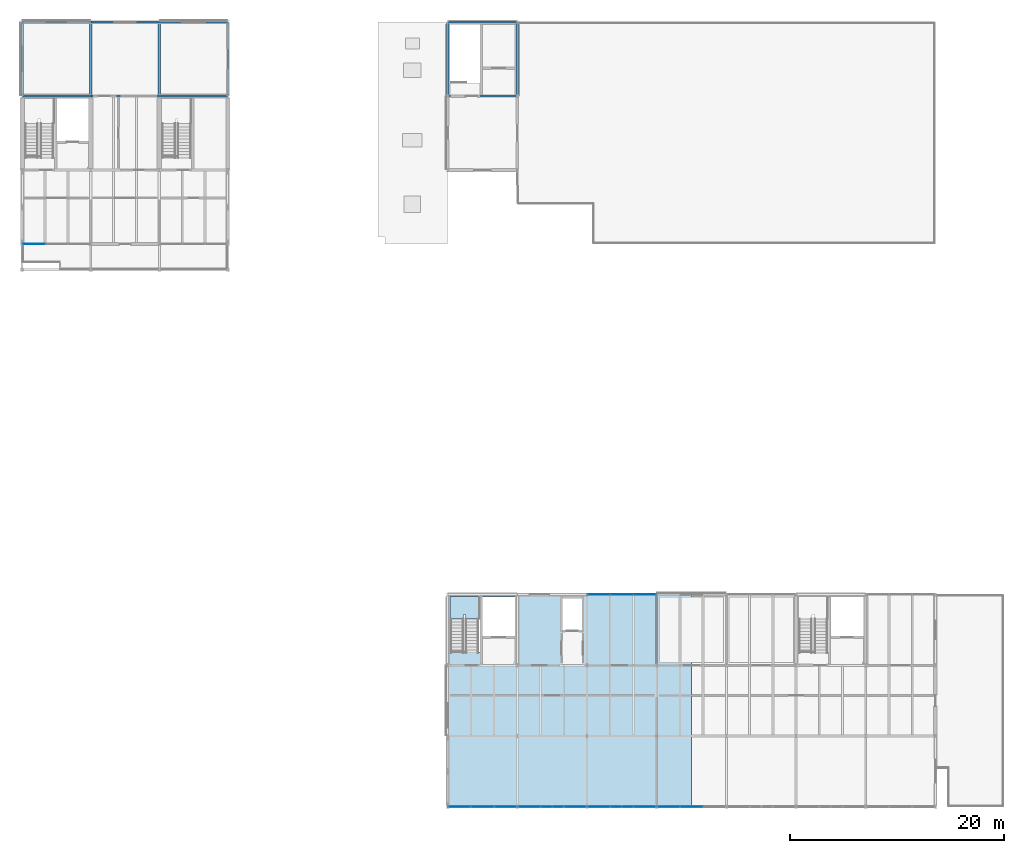
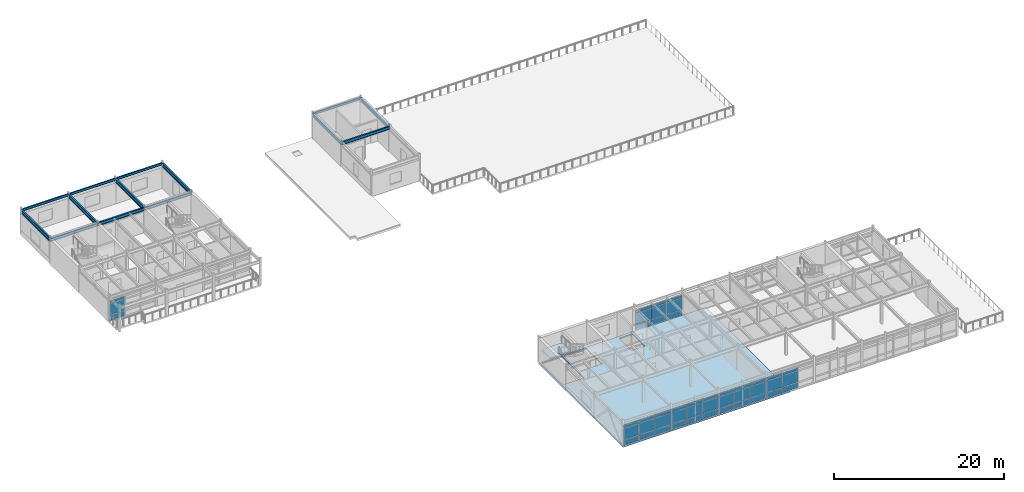
# One storey, part 13 of 26: 45 plates, 14 beams, 2 slabs, 7 elements without a shape of their own.
"""IFC4 building model written with IfcOpenShell, lengths in metres."""

from ifc_helpers import new_model, si_unit, direction, frame, origin, origin_2d, place, context, subcontext, project, spatial, polyline, rectangle, i_section, outline, extrude, material, layer, layer_set, material_profile, profile_set, type_object, element, aggregate, save


model = new_model("IFC4")

# Units and contexts
model_context = context("Model", 3, precision=1e-05, world=origin(), true_north=direction((0.0, 1.0)))
body_context = subcontext(model_context, "Body", "Model", "MODEL_VIEW")
ifc_project = project(units=[si_unit("LENGTHUNIT", "METRE"), si_unit("AREAUNIT", "SQUARE_METRE"), si_unit("VOLUMEUNIT", "CUBIC_METRE"), si_unit("PLANEANGLEUNIT", "RADIAN"), si_unit("MASSUNIT", "GRAM", prefix="KILO")], contexts=[model_context])

# Site, building, storey
site_placement = place(None, origin())
site = spatial("IfcSite", under=ifc_project, at=site_placement, CompositionType="ELEMENT")
building_placement = place(site_placement, origin())
building = spatial("IfcBuilding", under=site, at=building_placement, Name="Trelmorton Wharf Fire Station", CompositionType="ELEMENT")
storey_placement = place(building_placement, frame((0.0, 0.0, 17.39990234375)))
storey = spatial("IfcBuildingStorey", under=building, at=storey_placement, Name="L04", CompositionType="ELEMENT", Elevation=17.39990234375)

# Beams
ifc_material_1 = material(Name="Steel Grade 350", Category="steel")
ifc_material_profile_1 = material_profile(ifc_material_1, i_section(OverallWidth=0.18994140625, OverallDepth=0.45703125, WebThickness=0.009033203125, FlangeThickness=0.014404296875, FilletRadius=0.011474609375, at=origin_2d()), Name="460UB74.6")
ifc_profile_set_1 = profile_set([ifc_material_profile_1], Name="Steel Grade 350")
beam_type_1 = type_object("IfcBeamType", Name="BM_460UB75", PredefinedType="BEAM", material=ifc_profile_set_1)
beam_1_placement = place(storey_placement, frame((70.803955078125, 74.10009765625, 3.401611328125), z_axis=(1.0, 0.0, 0.0), x_axis=(0.0, 1.0, 0.0)))
element("IfcBeam", 1, at=beam_1_placement, inside=storey, type_object=beam_type_1, Name="BM-L04-1072", PredefinedType="BEAM", context=body_context, shape_type="SweptSolid", body=[
    extrude(i_section(OverallWidth=0.18994140625, OverallDepth=0.45703125, WebThickness=0.009033203125, FlangeThickness=0.014404296875, FilletRadius=0.011474609375, at=origin_2d()), origin(), (0.0, 0.0, 1.0), 6.39208984375),
])
beam_2_placement = place(storey_placement, frame((77.2041015625, 74.10009765625, 3.401611328125), z_axis=(1.0, 0.0, 0.0), x_axis=(0.0, 1.0, 0.0)))
element("IfcBeam", 2, at=beam_2_placement, inside=storey, type_object=beam_type_1, Name="BM-L04-1073", PredefinedType="BEAM", context=body_context, shape_type="SweptSolid", body=[
    extrude(i_section(OverallWidth=0.18994140625, OverallDepth=0.45703125, WebThickness=0.009033203125, FlangeThickness=0.014404296875, FilletRadius=0.011474609375, at=origin_2d()), origin(), (0.0, 0.0, 1.0), 6.391845703125),
])
beam_3_placement = place(storey_placement, frame((83.60400390625, 74.10009765625, 3.401611328125), z_axis=(1.0, 0.0, 0.0), x_axis=(0.0, 1.0, 0.0)))
element("IfcBeam", 3, at=beam_3_placement, inside=storey, type_object=beam_type_1, Name="BM-L04-1074", PredefinedType="BEAM", context=body_context, shape_type="SweptSolid", body=[
    extrude(i_section(OverallWidth=0.18994140625, OverallDepth=0.45703125, WebThickness=0.009033203125, FlangeThickness=0.014404296875, FilletRadius=0.011474609375, at=origin_2d()), origin(), (0.0, 0.0, 1.0), 6.39208984375),
])
beam_4_placement = place(storey_placement, frame((110.50390625, 74.10009765625, 3.401611328125), z_axis=(1.0, 0.0, 0.0), x_axis=(0.0, 1.0, 0.0)))
element("IfcBeam", 4, at=beam_4_placement, inside=storey, type_object=beam_type_1, Name="BM-L04-1075", PredefinedType="BEAM", context=body_context, shape_type="SweptSolid", body=[
    extrude(i_section(OverallWidth=0.18994140625, OverallDepth=0.45703125, WebThickness=0.009033203125, FlangeThickness=0.014404296875, FilletRadius=0.011474609375, at=origin_2d()), origin(), (0.0, 0.0, 1.0), 6.4921875),
])
ifc_material_profile_2 = material_profile(ifc_material_1, i_section(OverallWidth=0.208984375, OverallDepth=0.532958984375, WebThickness=0.01025390625, FlangeThickness=0.015625, FilletRadius=0.013916015625, at=origin_2d()), Name="530UB92.4")
ifc_profile_set_2 = profile_set([ifc_material_profile_2], Name="Steel Grade 350")
beam_type_2 = type_object("IfcBeamType", Name="BM_530UB92", PredefinedType="BEAM", material=ifc_profile_set_2)
for number, where, z_axis, x_axis, name in (
    (5, (70.800048828125, 74.22607421875, 3.363525390625), (0.0, 1.0, 0.0), (-1.0, 0.0, 0.0), "BM-L04-1083"),
    (6, (77.199951171875, 74.22607421875, 3.363525390625), (0.0, 1.0, 0.0), (-1.0, 0.0, 0.0), "BM-L04-1087"),
    (7, (83.60009765625, 74.22607421875, 3.363525390625), (0.0, 1.0, 0.0), (-1.0, 0.0, 0.0), "BM-L04-1091"),
    (8, (90.0, 74.22607421875, 3.363525390625), (0.0, 1.0, 0.0), (-1.0, 0.0, 0.0), "BM-L04-1095"),
):
    element("IfcBeam", number, at=place(storey_placement, frame(where, z_axis=z_axis, x_axis=x_axis)), inside=storey, type_object=beam_type_2, Name=name, PredefinedType="BEAM", context=body_context, shape_type="SweptSolid", body=[
        extrude(i_section(OverallWidth=0.208984375, OverallDepth=0.532958984375, WebThickness=0.01025390625, FlangeThickness=0.015625, FilletRadius=0.013916015625, at=origin_2d()), origin(), (0.0, 0.0, 1.0), 6.64794921875),
    ])
for number, where, z_axis, x_axis, name in (
    (9, (110.5, 74.200927734375, 3.363525390625), (0.0, 1.0, 0.0), (-1.0, 0.0, 0.0), "BM-L04-1100"),
    (10, (117.0, 74.200927734375, 3.363525390625), (0.0, 1.0, 0.0), (-1.0, 0.0, 0.0), "BM-L04-1105"),
):
    element("IfcBeam", number, at=place(storey_placement, frame(where, z_axis=z_axis, x_axis=x_axis)), inside=storey, type_object=beam_type_2, Name=name, PredefinedType="BEAM", context=body_context, shape_type="SweptSolid", body=[
        extrude(i_section(OverallWidth=0.208984375, OverallDepth=0.532958984375, WebThickness=0.01025390625, FlangeThickness=0.015625, FilletRadius=0.013916015625, at=origin_2d()), origin(), (0.0, 0.0, 1.0), 6.697998046875),
    ])
ifc_material_profile_3 = material_profile(ifc_material_1, i_section(OverallWidth=0.1708984375, OverallDepth=0.35595703125, WebThickness=0.00732421875, FlangeThickness=0.011474609375, FilletRadius=0.011474609375, at=origin_2d()), Name="360UB50.7")
ifc_profile_set_3 = profile_set([ifc_material_profile_3], Name="Steel Grade 350")
beam_type_3 = type_object("IfcBeamType", Name="SP_360UB51", PredefinedType="SPANDREL", material=ifc_profile_set_3)
beam_5_placement = place(storey_placement, frame((70.803955078125, 81.0, 3.4521484375), z_axis=(1.0, 0.0, 0.0), x_axis=(0.0, 1.0, 0.0)))
element("IfcBeam", 11, at=beam_5_placement, inside=storey, type_object=beam_type_3, Name="BM-L04-1076", PredefinedType="SPANDREL", context=body_context, shape_type="SweptSolid", body=[
    extrude(i_section(OverallWidth=0.1708984375, OverallDepth=0.35595703125, WebThickness=0.00732421875, FlangeThickness=0.011474609375, FilletRadius=0.011474609375, at=origin_2d()), origin(), (0.0, 0.0, 1.0), 6.39208984375),
])
beam_6_placement = place(storey_placement, frame((77.2041015625, 81.0, 3.4521484375), z_axis=(1.0, 0.0, 0.0), x_axis=(0.0, 1.0, 0.0)))
element("IfcBeam", 12, at=beam_6_placement, inside=storey, type_object=beam_type_3, Name="BM-L04-1077", PredefinedType="SPANDREL", context=body_context, shape_type="SweptSolid", body=[
    extrude(i_section(OverallWidth=0.1708984375, OverallDepth=0.35595703125, WebThickness=0.00732421875, FlangeThickness=0.011474609375, FilletRadius=0.011474609375, at=origin_2d()), origin(), (0.0, 0.0, 1.0), 6.391845703125),
])
beam_7_placement = place(storey_placement, frame((83.60400390625, 81.0, 3.4521484375), z_axis=(1.0, 0.0, 0.0), x_axis=(0.0, 1.0, 0.0)))
element("IfcBeam", 13, at=beam_7_placement, inside=storey, type_object=beam_type_3, Name="BM-L04-1078", PredefinedType="SPANDREL", context=body_context, shape_type="SweptSolid", body=[
    extrude(i_section(OverallWidth=0.1708984375, OverallDepth=0.35595703125, WebThickness=0.00732421875, FlangeThickness=0.011474609375, FilletRadius=0.011474609375, at=origin_2d()), origin(), (0.0, 0.0, 1.0), 6.39208984375),
])
beam_8_placement = place(storey_placement, frame((110.50390625, 81.0, 3.4521484375), z_axis=(1.0, 0.0, 0.0), x_axis=(0.0, 1.0, 0.0)))
element("IfcBeam", 14, at=beam_8_placement, inside=storey, type_object=beam_type_3, Name="BM-L04-1079", PredefinedType="SPANDREL", context=body_context, shape_type="SweptSolid", body=[
    extrude(i_section(OverallWidth=0.1708984375, OverallDepth=0.35595703125, WebThickness=0.00732421875, FlangeThickness=0.011474609375, FilletRadius=0.011474609375, at=origin_2d()), origin(), (0.0, 0.0, 1.0), 6.4921875),
])

# Curtain wall, plates
ifc_material_2 = material(Name="Anodised aluminium AW-6063", Category="aluminium")
ifc_layer_1 = layer(ifc_material_2, 0.175048828125)
ifc_layer_set_1 = layer_set([ifc_layer_1], Name="Anodised aluminium AW-6063")
curtain_wall_type_1 = type_object("IfcCurtainWallType", Name="CW_CHIC_B", PredefinedType="USERDEFINED", material=ifc_layer_set_1)
curtain_wall_1_placement = place(storey_placement, origin())
curtain_wall_1 = element("IfcCurtainWall", 15, at=curtain_wall_1_placement, inside=storey, type_object=curtain_wall_type_1, Name="CW-V5-L04-073", ObjectType="CHICAGO BAY CURTAIN WALL", PredefinedType="USERDEFINED")
ifc_material_3 = material(Name="Tempered low-E double glazing", Category="glass")
ifc_layer_2 = layer(ifc_material_3, 0.028076171875)
ifc_layer_set_2 = layer_set([ifc_layer_2], Name="Tempered low-E double glazing")
plate_type_1 = type_object("IfcPlateType", Name="CWP_GLAZ_28", PredefinedType="CURTAIN_PANEL", material=ifc_layer_set_2)
plate_1_placement = place(storey_placement, frame((122.3984375, 7.800048828125, 0.06005859375), z_axis=(0.0, 0.0, 1.0), x_axis=(-1.0, 0.0, 0.0)))
plate_1 = element("IfcPlate", 16, at=plate_1_placement, type_object=plate_type_1, Name="CW2 panel 1.1", PredefinedType="CURTAIN_PANEL", context=body_context, shape_type="SweptSolid", body=[
    extrude(rectangle(XDim=2.0732421875, YDim=0.028076171875, at=origin_2d()), origin(), (0.0, 0.0, 1.0), 0.760009765625),
])
plate_2_placement = place(storey_placement, frame((122.3984375, 7.800048828125, 0.8798828125), z_axis=(0.0, 0.0, 1.0), x_axis=(-1.0, 0.0, 0.0)))
plate_2 = element("IfcPlate", 17, at=plate_2_placement, type_object=plate_type_1, Name="CW2 panel 1.2", PredefinedType="CURTAIN_PANEL", context=body_context, shape_type="SweptSolid", body=[
    extrude(rectangle(XDim=2.0732421875, YDim=0.028076171875, at=origin_2d()), origin(), (0.0, 0.0, 1.0), 1.610107421875),
])
plate_3_placement = place(storey_placement, frame((122.3984375, 7.800048828125, 2.55029296875), z_axis=(0.0, 0.0, 1.0), x_axis=(-1.0, 0.0, 0.0)))
plate_3 = element("IfcPlate", 18, at=plate_3_placement, type_object=plate_type_1, Name="CW2 panel 1.3", PredefinedType="CURTAIN_PANEL", context=body_context, shape_type="SweptSolid", body=[
    extrude(rectangle(XDim=2.0732421875, YDim=0.028076171875, at=origin_2d()), origin(), (0.0, 0.0, 1.0), 0.409912109375),
])
plate_4_placement = place(storey_placement, frame((120.25, 7.800048828125, 0.06005859375), z_axis=(0.0, 0.0, 1.0), x_axis=(-1.0, 0.0, 0.0)))
plate_4 = element("IfcPlate", 19, at=plate_4_placement, type_object=plate_type_1, Name="CW2 panel 2.1", PredefinedType="CURTAIN_PANEL", context=body_context, shape_type="SweptSolid", body=[
    extrude(rectangle(XDim=2.103271484375, YDim=0.028076171875, at=origin_2d()), origin(), (0.0, 0.0, 1.0), 0.760009765625),
])
plate_5_placement = place(storey_placement, frame((120.25, 7.800048828125, 0.8798828125), z_axis=(0.0, 0.0, 1.0), x_axis=(-1.0, 0.0, 0.0)))
plate_5 = element("IfcPlate", 20, at=plate_5_placement, type_object=plate_type_1, Name="CW2 panel 2.2", PredefinedType="CURTAIN_PANEL", context=body_context, shape_type="SweptSolid", body=[
    extrude(rectangle(XDim=2.103271484375, YDim=0.028076171875, at=origin_2d()), origin(), (0.0, 0.0, 1.0), 1.610107421875),
])
plate_6_placement = place(storey_placement, frame((120.25, 7.800048828125, 2.55029296875), z_axis=(0.0, 0.0, 1.0), x_axis=(-1.0, 0.0, 0.0)))
plate_6 = element("IfcPlate", 21, at=plate_6_placement, type_object=plate_type_1, Name="CW2 panel 2.3", PredefinedType="CURTAIN_PANEL", context=body_context, shape_type="SweptSolid", body=[
    extrude(rectangle(XDim=2.103271484375, YDim=0.028076171875, at=origin_2d()), origin(), (0.0, 0.0, 1.0), 0.409912109375),
])
plate_7_placement = place(storey_placement, frame((118.1015625, 7.800048828125, 0.06005859375), z_axis=(0.0, 0.0, 1.0), x_axis=(-1.0, 0.0, 0.0)))
plate_7 = element("IfcPlate", 22, at=plate_7_placement, type_object=plate_type_1, Name="CW2 panel 3.1", PredefinedType="CURTAIN_PANEL", context=body_context, shape_type="SweptSolid", body=[
    extrude(rectangle(XDim=2.0732421875, YDim=0.028076171875, at=origin_2d()), origin(), (0.0, 0.0, 1.0), 0.760009765625),
])
plate_8_placement = place(storey_placement, frame((118.1015625, 7.800048828125, 0.8798828125), z_axis=(0.0, 0.0, 1.0), x_axis=(-1.0, 0.0, 0.0)))
plate_8 = element("IfcPlate", 23, at=plate_8_placement, type_object=plate_type_1, Name="CW2 panel 3.2", PredefinedType="CURTAIN_PANEL", context=body_context, shape_type="SweptSolid", body=[
    extrude(rectangle(XDim=2.0732421875, YDim=0.028076171875, at=origin_2d()), origin(), (0.0, 0.0, 1.0), 1.610107421875),
])
plate_9_placement = place(storey_placement, frame((118.1015625, 7.800048828125, 2.55029296875), z_axis=(0.0, 0.0, 1.0), x_axis=(-1.0, 0.0, 0.0)))
plate_9 = element("IfcPlate", 24, at=plate_9_placement, type_object=plate_type_1, Name="CW2 panel 3.3", PredefinedType="CURTAIN_PANEL", context=body_context, shape_type="SweptSolid", body=[
    extrude(rectangle(XDim=2.0732421875, YDim=0.028076171875, at=origin_2d()), origin(), (0.0, 0.0, 1.0), 0.409912109375),
])
aggregate(curtain_wall_1, [plate_1, plate_2, plate_3, plate_4, plate_5, plate_6, plate_7, plate_8, plate_9])

ifc_layer_3 = layer(ifc_material_2, 0.159912109375)
ifc_layer_set_3 = layer_set([ifc_layer_3], Name="Anodised aluminium AW-6063")
curtain_wall_type_2 = type_object("IfcCurtainWallType", Name="CW_CHIC_A", PredefinedType="USERDEFINED", material=ifc_layer_set_3)
curtain_wall_2_placement = place(storey_placement, origin())
curtain_wall_2 = element("IfcCurtainWall", 25, at=curtain_wall_2_placement, inside=storey, type_object=curtain_wall_type_2, Name="CW-V5-L04-074", ObjectType="CHICAGO BAY CURTAIN WALL", PredefinedType="USERDEFINED")
plate_10_placement = place(storey_placement, frame((128.8984375, 7.800048828125, 0.06005859375), z_axis=(0.0, 0.0, 1.0), x_axis=(-1.0, 0.0, 0.0)))
plate_10 = element("IfcPlate", 26, at=plate_10_placement, type_object=plate_type_1, Name="CW1 panel 1.1", PredefinedType="CURTAIN_PANEL", context=body_context, shape_type="SweptSolid", body=[
    extrude(rectangle(XDim=2.0732421875, YDim=0.028076171875, at=origin_2d()), origin(), (0.0, 0.0, 1.0), 0.760009765625),
])
plate_11_placement = place(storey_placement, frame((128.8984375, 7.800048828125, 0.8798828125), z_axis=(0.0, 0.0, 1.0), x_axis=(-1.0, 0.0, 0.0)))
plate_11 = element("IfcPlate", 27, at=plate_11_placement, type_object=plate_type_1, Name="CW1 panel 1.2", PredefinedType="CURTAIN_PANEL", context=body_context, shape_type="SweptSolid", body=[
    extrude(rectangle(XDim=2.0732421875, YDim=0.028076171875, at=origin_2d()), origin(), (0.0, 0.0, 1.0), 1.610107421875),
])
plate_12_placement = place(storey_placement, frame((128.8984375, 7.800048828125, 2.55029296875), z_axis=(0.0, 0.0, 1.0), x_axis=(-1.0, 0.0, 0.0)))
plate_12 = element("IfcPlate", 28, at=plate_12_placement, type_object=plate_type_1, Name="CW1 panel 1.3", PredefinedType="CURTAIN_PANEL", context=body_context, shape_type="SweptSolid", body=[
    extrude(rectangle(XDim=2.0732421875, YDim=0.028076171875, at=origin_2d()), origin(), (0.0, 0.0, 1.0), 0.409912109375),
])
plate_13_placement = place(storey_placement, frame((126.75, 7.800048828125, 0.06005859375), z_axis=(0.0, 0.0, 1.0), x_axis=(-1.0, 0.0, 0.0)))
plate_13 = element("IfcPlate", 29, at=plate_13_placement, type_object=plate_type_1, Name="CW1 panel 2.1", PredefinedType="CURTAIN_PANEL", context=body_context, shape_type="SweptSolid", body=[
    extrude(rectangle(XDim=2.103271484375, YDim=0.028076171875, at=origin_2d()), origin(), (0.0, 0.0, 1.0), 0.760009765625),
])
plate_14_placement = place(storey_placement, frame((126.75, 7.800048828125, 0.8798828125), z_axis=(0.0, 0.0, 1.0), x_axis=(-1.0, 0.0, 0.0)))
plate_14 = element("IfcPlate", 30, at=plate_14_placement, type_object=plate_type_1, Name="CW1 panel 2.2", PredefinedType="CURTAIN_PANEL", context=body_context, shape_type="SweptSolid", body=[
    extrude(rectangle(XDim=2.103271484375, YDim=0.028076171875, at=origin_2d()), origin(), (0.0, 0.0, 1.0), 1.610107421875),
])
plate_15_placement = place(storey_placement, frame((126.75, 7.800048828125, 2.55029296875), z_axis=(0.0, 0.0, 1.0), x_axis=(-1.0, 0.0, 0.0)))
plate_15 = element("IfcPlate", 31, at=plate_15_placement, type_object=plate_type_1, Name="CW1 panel 2.3", PredefinedType="CURTAIN_PANEL", context=body_context, shape_type="SweptSolid", body=[
    extrude(rectangle(XDim=2.103271484375, YDim=0.028076171875, at=origin_2d()), origin(), (0.0, 0.0, 1.0), 0.409912109375),
])
plate_16_placement = place(storey_placement, frame((124.6015625, 7.800048828125, 0.06005859375), z_axis=(0.0, 0.0, 1.0), x_axis=(-1.0, 0.0, 0.0)))
plate_16 = element("IfcPlate", 32, at=plate_16_placement, type_object=plate_type_1, Name="CW1 panel 3.1", PredefinedType="CURTAIN_PANEL", context=body_context, shape_type="SweptSolid", body=[
    extrude(rectangle(XDim=2.0732421875, YDim=0.028076171875, at=origin_2d()), origin(), (0.0, 0.0, 1.0), 0.760009765625),
])
plate_17_placement = place(storey_placement, frame((124.6015625, 7.800048828125, 0.8798828125), z_axis=(0.0, 0.0, 1.0), x_axis=(-1.0, 0.0, 0.0)))
plate_17 = element("IfcPlate", 33, at=plate_17_placement, type_object=plate_type_1, Name="CW1 panel 3.2", PredefinedType="CURTAIN_PANEL", context=body_context, shape_type="SweptSolid", body=[
    extrude(rectangle(XDim=2.0732421875, YDim=0.028076171875, at=origin_2d()), origin(), (0.0, 0.0, 1.0), 1.610107421875),
])
plate_18_placement = place(storey_placement, frame((124.6015625, 7.800048828125, 2.55029296875), z_axis=(0.0, 0.0, 1.0), x_axis=(-1.0, 0.0, 0.0)))
plate_18 = element("IfcPlate", 34, at=plate_18_placement, type_object=plate_type_1, Name="CW1 panel 3.3", PredefinedType="CURTAIN_PANEL", context=body_context, shape_type="SweptSolid", body=[
    extrude(rectangle(XDim=2.0732421875, YDim=0.028076171875, at=origin_2d()), origin(), (0.0, 0.0, 1.0), 0.409912109375),
])
aggregate(curtain_wall_2, [plate_10, plate_11, plate_12, plate_13, plate_14, plate_15, plate_16, plate_17, plate_18])

ifc_layer_4 = layer(ifc_material_2, 0.14990234375)
ifc_layer_set_4 = layer_set([ifc_layer_4], Name="Anodised aluminium AW-6063")
curtain_wall_type_3 = type_object("IfcCurtainWallType", Name="CW_UNIT_A", PredefinedType="USERDEFINED", material=ifc_layer_set_4)
curtain_wall_3_placement = place(storey_placement, origin())
curtain_wall_3 = element("IfcCurtainWall", 35, at=curtain_wall_3_placement, inside=storey, type_object=curtain_wall_type_3, Name="CW-V5-L04-079", ObjectType="UNITISED CURTAIN WALL", PredefinedType="USERDEFINED")
plate_19_placement = place(storey_placement, frame((124.6015625, 27.60009765625, 0.06005859375), z_axis=(0.0, 0.0, 1.0), x_axis=(1.0, 0.0, 0.0)))
plate_19 = element("IfcPlate", 36, at=plate_19_placement, type_object=plate_type_1, Name="CW3 panel 1.1", PredefinedType="CURTAIN_PANEL", context=body_context, shape_type="SweptSolid", body=[
    extrude(rectangle(XDim=2.0732421875, YDim=0.028076171875, at=origin_2d()), origin(), (0.0, 0.0, 1.0), 0.760009765625),
])
plate_20_placement = place(storey_placement, frame((124.6015625, 27.60009765625, 0.8798828125), z_axis=(0.0, 0.0, 1.0), x_axis=(1.0, 0.0, 0.0)))
plate_20 = element("IfcPlate", 37, at=plate_20_placement, type_object=plate_type_1, Name="CW3 panel 1.2", PredefinedType="CURTAIN_PANEL", context=body_context, shape_type="SweptSolid", body=[
    extrude(rectangle(XDim=2.0732421875, YDim=0.028076171875, at=origin_2d()), origin(), (0.0, 0.0, 1.0), 1.610107421875),
])
plate_21_placement = place(storey_placement, frame((124.6015625, 27.60009765625, 2.55029296875), z_axis=(0.0, 0.0, 1.0), x_axis=(1.0, 0.0, 0.0)))
plate_21 = element("IfcPlate", 38, at=plate_21_placement, type_object=plate_type_1, Name="CW3 panel 1.3", PredefinedType="CURTAIN_PANEL", context=body_context, shape_type="SweptSolid", body=[
    extrude(rectangle(XDim=2.0732421875, YDim=0.028076171875, at=origin_2d()), origin(), (0.0, 0.0, 1.0), 0.409912109375),
])
plate_22_placement = place(storey_placement, frame((126.75, 27.60009765625, 0.06005859375), z_axis=(0.0, 0.0, 1.0), x_axis=(1.0, 0.0, 0.0)))
plate_22 = element("IfcPlate", 39, at=plate_22_placement, type_object=plate_type_1, Name="CW3 panel 2.1", PredefinedType="CURTAIN_PANEL", context=body_context, shape_type="SweptSolid", body=[
    extrude(rectangle(XDim=2.103271484375, YDim=0.028076171875, at=origin_2d()), origin(), (0.0, 0.0, 1.0), 0.760009765625),
])
plate_23_placement = place(storey_placement, frame((126.75, 27.60009765625, 0.8798828125), z_axis=(0.0, 0.0, 1.0), x_axis=(1.0, 0.0, 0.0)))
plate_23 = element("IfcPlate", 40, at=plate_23_placement, type_object=plate_type_1, Name="CW3 panel 2.2", PredefinedType="CURTAIN_PANEL", context=body_context, shape_type="SweptSolid", body=[
    extrude(rectangle(XDim=2.103271484375, YDim=0.028076171875, at=origin_2d()), origin(), (0.0, 0.0, 1.0), 1.610107421875),
])
plate_24_placement = place(storey_placement, frame((126.75, 27.60009765625, 2.55029296875), z_axis=(0.0, 0.0, 1.0), x_axis=(1.0, 0.0, 0.0)))
plate_24 = element("IfcPlate", 41, at=plate_24_placement, type_object=plate_type_1, Name="CW3 panel 2.3", PredefinedType="CURTAIN_PANEL", context=body_context, shape_type="SweptSolid", body=[
    extrude(rectangle(XDim=2.103271484375, YDim=0.028076171875, at=origin_2d()), origin(), (0.0, 0.0, 1.0), 0.409912109375),
])
plate_25_placement = place(storey_placement, frame((128.8984375, 27.60009765625, 0.06005859375), z_axis=(0.0, 0.0, 1.0), x_axis=(1.0, 0.0, 0.0)))
plate_25 = element("IfcPlate", 42, at=plate_25_placement, type_object=plate_type_1, Name="CW3 panel 3.1", PredefinedType="CURTAIN_PANEL", context=body_context, shape_type="SweptSolid", body=[
    extrude(rectangle(XDim=2.0732421875, YDim=0.028076171875, at=origin_2d()), origin(), (0.0, 0.0, 1.0), 0.760009765625),
])
plate_26_placement = place(storey_placement, frame((128.8984375, 27.60009765625, 0.8798828125), z_axis=(0.0, 0.0, 1.0), x_axis=(1.0, 0.0, 0.0)))
plate_26 = element("IfcPlate", 43, at=plate_26_placement, type_object=plate_type_1, Name="CW3 panel 3.2", PredefinedType="CURTAIN_PANEL", context=body_context, shape_type="SweptSolid", body=[
    extrude(rectangle(XDim=2.0732421875, YDim=0.028076171875, at=origin_2d()), origin(), (0.0, 0.0, 1.0), 1.610107421875),
])
plate_27_placement = place(storey_placement, frame((128.8984375, 27.60009765625, 2.55029296875), z_axis=(0.0, 0.0, 1.0), x_axis=(1.0, 0.0, 0.0)))
plate_27 = element("IfcPlate", 44, at=plate_27_placement, type_object=plate_type_1, Name="CW3 panel 3.3", PredefinedType="CURTAIN_PANEL", context=body_context, shape_type="SweptSolid", body=[
    extrude(rectangle(XDim=2.0732421875, YDim=0.028076171875, at=origin_2d()), origin(), (0.0, 0.0, 1.0), 0.409912109375),
])
aggregate(curtain_wall_3, [plate_19, plate_20, plate_21, plate_22, plate_23, plate_24, plate_25, plate_26, plate_27])

curtain_wall_4_placement = place(storey_placement, origin())
curtain_wall_4 = element("IfcCurtainWall", 45, at=curtain_wall_4_placement, inside=storey, type_object=curtain_wall_type_1, Name="CW-V5-L04-075", ObjectType="CHICAGO BAY CURTAIN WALL", PredefinedType="USERDEFINED")
ifc_layer_5 = layer(ifc_material_3, 0.028076171875)
ifc_layer_set_5 = layer_set([ifc_layer_5], Name="Tempered low-E double glazing")
plate_type_2 = type_object("IfcPlateType", Name="CWP_GLAZ_38", PredefinedType="CURTAIN_PANEL", material=ifc_layer_set_5)
plate_28_placement = place(storey_placement, frame((133.25, 7.800048828125, 0.06005859375), z_axis=(0.0, 0.0, 1.0), x_axis=(-1.0, 0.0, 0.0)))
plate_28 = element("IfcPlate", 46, at=plate_28_placement, type_object=plate_type_2, Name="CW2 panel 2.1", PredefinedType="CURTAIN_PANEL", context=body_context, shape_type="SweptSolid", body=[
    extrude(rectangle(XDim=2.103271484375, YDim=0.028076171875, at=origin_2d()), origin(), (0.0, 0.0, 1.0), 0.760009765625),
])
plate_29_placement = place(storey_placement, frame((133.25, 7.800048828125, 0.8798828125), z_axis=(0.0, 0.0, 1.0), x_axis=(-1.0, 0.0, 0.0)))
plate_29 = element("IfcPlate", 47, at=plate_29_placement, type_object=plate_type_2, Name="CW2 panel 2.2", PredefinedType="CURTAIN_PANEL", context=body_context, shape_type="SweptSolid", body=[
    extrude(rectangle(XDim=2.103271484375, YDim=0.028076171875, at=origin_2d()), origin(), (0.0, 0.0, 1.0), 1.610107421875),
])
plate_30_placement = place(storey_placement, frame((133.25, 7.800048828125, 2.55029296875), z_axis=(0.0, 0.0, 1.0), x_axis=(-1.0, 0.0, 0.0)))
plate_30 = element("IfcPlate", 48, at=plate_30_placement, type_object=plate_type_2, Name="CW2 panel 2.3", PredefinedType="CURTAIN_PANEL", context=body_context, shape_type="SweptSolid", body=[
    extrude(rectangle(XDim=2.103271484375, YDim=0.028076171875, at=origin_2d()), origin(), (0.0, 0.0, 1.0), 0.409912109375),
])
plate_31_placement = place(storey_placement, frame((131.1015625, 7.800048828125, 0.06005859375), z_axis=(0.0, 0.0, 1.0), x_axis=(-1.0, 0.0, 0.0)))
plate_31 = element("IfcPlate", 49, at=plate_31_placement, type_object=plate_type_2, Name="CW2 panel 3.1", PredefinedType="CURTAIN_PANEL", context=body_context, shape_type="SweptSolid", body=[
    extrude(rectangle(XDim=2.0732421875, YDim=0.028076171875, at=origin_2d()), origin(), (0.0, 0.0, 1.0), 0.760009765625),
])
plate_32_placement = place(storey_placement, frame((131.1015625, 7.800048828125, 0.8798828125), z_axis=(0.0, 0.0, 1.0), x_axis=(-1.0, 0.0, 0.0)))
plate_32 = element("IfcPlate", 50, at=plate_32_placement, type_object=plate_type_2, Name="CW2 panel 3.2", PredefinedType="CURTAIN_PANEL", context=body_context, shape_type="SweptSolid", body=[
    extrude(rectangle(XDim=2.0732421875, YDim=0.028076171875, at=origin_2d()), origin(), (0.0, 0.0, 1.0), 1.610107421875),
])
plate_33_placement = place(storey_placement, frame((131.1015625, 7.800048828125, 2.55029296875), z_axis=(0.0, 0.0, 1.0), x_axis=(-1.0, 0.0, 0.0)))
plate_33 = element("IfcPlate", 51, at=plate_33_placement, type_object=plate_type_2, Name="CW2 panel 3.3", PredefinedType="CURTAIN_PANEL", context=body_context, shape_type="SweptSolid", body=[
    extrude(rectangle(XDim=2.0732421875, YDim=0.028076171875, at=origin_2d()), origin(), (0.0, 0.0, 1.0), 0.409912109375),
])
aggregate(curtain_wall_4, [plate_28, plate_29, plate_30, plate_31, plate_32, plate_33])

curtain_wall_5_placement = place(storey_placement, origin())
curtain_wall_5 = element("IfcCurtainWall", 52, at=curtain_wall_5_placement, inside=storey, type_object=curtain_wall_type_2, Name="CW-V2-L04-105", ObjectType="CHICAGO BAY CURTAIN WALL", PredefinedType="USERDEFINED")
plate_34_placement = place(storey_placement, frame((71.885009765625, 60.300048828125, 0.06005859375), z_axis=(0.0, 0.0, 1.0), x_axis=(-1.0, 0.0, 0.0)))
plate_34 = element("IfcPlate", 53, at=plate_34_placement, type_object=plate_type_2, Name="CW1 panel 3.1", PredefinedType="CURTAIN_PANEL", context=body_context, shape_type="SweptSolid", body=[
    extrude(rectangle(XDim=2.0400390625, YDim=0.028076171875, at=origin_2d()), origin(), (0.0, 0.0, 1.0), 0.760009765625),
])
plate_35_placement = place(storey_placement, frame((71.885009765625, 60.300048828125, 0.8798828125), z_axis=(0.0, 0.0, 1.0), x_axis=(-1.0, 0.0, 0.0)))
plate_35 = element("IfcPlate", 54, at=plate_35_placement, type_object=plate_type_2, Name="CW1 panel 3.2", PredefinedType="CURTAIN_PANEL", context=body_context, shape_type="SweptSolid", body=[
    extrude(rectangle(XDim=2.0400390625, YDim=0.028076171875, at=origin_2d()), origin(), (0.0, 0.0, 1.0), 1.610107421875),
])
plate_36_placement = place(storey_placement, frame((71.885009765625, 60.300048828125, 2.55029296875), z_axis=(0.0, 0.0, 1.0), x_axis=(-1.0, 0.0, 0.0)))
plate_36 = element("IfcPlate", 55, at=plate_36_placement, type_object=plate_type_2, Name="CW1 panel 3.3", PredefinedType="CURTAIN_PANEL", context=body_context, shape_type="SweptSolid", body=[
    extrude(rectangle(XDim=2.0400390625, YDim=0.028076171875, at=origin_2d()), origin(), (0.0, 0.0, 1.0), 0.409912109375),
])
aggregate(curtain_wall_5, [plate_34, plate_35, plate_36])

curtain_wall_6_placement = place(storey_placement, origin())
curtain_wall_6 = element("IfcCurtainWall", 56, at=curtain_wall_6_placement, inside=storey, type_object=curtain_wall_type_2, Name="CW-V5-L04-072", ObjectType="CHICAGO BAY CURTAIN WALL", PredefinedType="USERDEFINED")
ifc_material_4 = material(Name="Ceramic-fritted spandrel glazing", Category="glass")
ifc_layer_6 = layer(ifc_material_4, 0.028076171875)
ifc_layer_set_6 = layer_set([ifc_layer_6], Name="Ceramic-fritted spandrel glazing")
plate_type_3 = type_object("IfcPlateType", Name="CWP_SPAN_48", PredefinedType="CURTAIN_PANEL", material=ifc_layer_set_6)
plate_37_placement = place(storey_placement, frame((115.8984375, 7.800048828125, 0.06005859375), z_axis=(0.0, 0.0, 1.0), x_axis=(-1.0, 0.0, 0.0)))
plate_37 = element("IfcPlate", 57, at=plate_37_placement, type_object=plate_type_3, Name="CW1 panel 1.1", PredefinedType="CURTAIN_PANEL", context=body_context, shape_type="SweptSolid", body=[
    extrude(rectangle(XDim=2.0732421875, YDim=0.028076171875, at=origin_2d()), origin(), (0.0, 0.0, 1.0), 0.760009765625),
])
plate_38_placement = place(storey_placement, frame((115.8984375, 7.800048828125, 0.8798828125), z_axis=(0.0, 0.0, 1.0), x_axis=(-1.0, 0.0, 0.0)))
plate_38 = element("IfcPlate", 58, at=plate_38_placement, type_object=plate_type_3, Name="CW1 panel 1.2", PredefinedType="CURTAIN_PANEL", context=body_context, shape_type="SweptSolid", body=[
    extrude(rectangle(XDim=2.0732421875, YDim=0.028076171875, at=origin_2d()), origin(), (0.0, 0.0, 1.0), 1.610107421875),
])
plate_39_placement = place(storey_placement, frame((115.8984375, 7.800048828125, 2.55029296875), z_axis=(0.0, 0.0, 1.0), x_axis=(-1.0, 0.0, 0.0)))
plate_39 = element("IfcPlate", 59, at=plate_39_placement, type_object=plate_type_3, Name="CW1 panel 1.3", PredefinedType="CURTAIN_PANEL", context=body_context, shape_type="SweptSolid", body=[
    extrude(rectangle(XDim=2.0732421875, YDim=0.028076171875, at=origin_2d()), origin(), (0.0, 0.0, 1.0), 0.409912109375),
])
plate_40_placement = place(storey_placement, frame((113.75, 7.800048828125, 0.06005859375), z_axis=(0.0, 0.0, 1.0), x_axis=(-1.0, 0.0, 0.0)))
plate_40 = element("IfcPlate", 60, at=plate_40_placement, type_object=plate_type_3, Name="CW1 panel 2.1", PredefinedType="CURTAIN_PANEL", context=body_context, shape_type="SweptSolid", body=[
    extrude(rectangle(XDim=2.103271484375, YDim=0.028076171875, at=origin_2d()), origin(), (0.0, 0.0, 1.0), 0.760009765625),
])
plate_41_placement = place(storey_placement, frame((113.75, 7.800048828125, 0.8798828125), z_axis=(0.0, 0.0, 1.0), x_axis=(-1.0, 0.0, 0.0)))
plate_41 = element("IfcPlate", 61, at=plate_41_placement, type_object=plate_type_3, Name="CW1 panel 2.2", PredefinedType="CURTAIN_PANEL", context=body_context, shape_type="SweptSolid", body=[
    extrude(rectangle(XDim=2.103271484375, YDim=0.028076171875, at=origin_2d()), origin(), (0.0, 0.0, 1.0), 1.610107421875),
])
plate_42_placement = place(storey_placement, frame((113.75, 7.800048828125, 2.55029296875), z_axis=(0.0, 0.0, 1.0), x_axis=(-1.0, 0.0, 0.0)))
plate_42 = element("IfcPlate", 62, at=plate_42_placement, type_object=plate_type_3, Name="CW1 panel 2.3", PredefinedType="CURTAIN_PANEL", context=body_context, shape_type="SweptSolid", body=[
    extrude(rectangle(XDim=2.103271484375, YDim=0.028076171875, at=origin_2d()), origin(), (0.0, 0.0, 1.0), 0.409912109375),
])
plate_43_placement = place(storey_placement, frame((111.6015625, 7.800048828125, 0.06005859375), z_axis=(0.0, 0.0, 1.0), x_axis=(-1.0, 0.0, 0.0)))
plate_43 = element("IfcPlate", 63, at=plate_43_placement, type_object=plate_type_3, Name="CW1 panel 3.1", PredefinedType="CURTAIN_PANEL", context=body_context, shape_type="SweptSolid", body=[
    extrude(rectangle(XDim=2.0732421875, YDim=0.028076171875, at=origin_2d()), origin(), (0.0, 0.0, 1.0), 0.760009765625),
])
plate_44_placement = place(storey_placement, frame((111.6015625, 7.800048828125, 0.8798828125), z_axis=(0.0, 0.0, 1.0), x_axis=(-1.0, 0.0, 0.0)))
plate_44 = element("IfcPlate", 64, at=plate_44_placement, type_object=plate_type_3, Name="CW1 panel 3.2", PredefinedType="CURTAIN_PANEL", context=body_context, shape_type="SweptSolid", body=[
    extrude(rectangle(XDim=2.0732421875, YDim=0.028076171875, at=origin_2d()), origin(), (0.0, 0.0, 1.0), 1.610107421875),
])
plate_45_placement = place(storey_placement, frame((111.6015625, 7.800048828125, 2.55029296875), z_axis=(0.0, 0.0, 1.0), x_axis=(-1.0, 0.0, 0.0)))
plate_45 = element("IfcPlate", 65, at=plate_45_placement, type_object=plate_type_3, Name="CW1 panel 3.3", PredefinedType="CURTAIN_PANEL", context=body_context, shape_type="SweptSolid", body=[
    extrude(rectangle(XDim=2.0732421875, YDim=0.028076171875, at=origin_2d()), origin(), (0.0, 0.0, 1.0), 0.409912109375),
])
aggregate(curtain_wall_6, [plate_37, plate_38, plate_39, plate_40, plate_41, plate_42, plate_43, plate_44, plate_45])

# Slab
ifc_material_5 = material(Name="Concrete 40 MPa", Category="concrete")
ifc_layer_7 = layer(ifc_material_5, 0.199951171875)
ifc_layer_set_7 = layer_set([ifc_layer_7], Name="Concrete 40 MPa")
slab_type_1 = type_object("IfcSlabType", Name="SL_FLOOR_200", PredefinedType="FLOOR", material=ifc_layer_set_7)
slab_1_placement = place(storey_placement, frame((0.0, 0.0, -0.199951171875)))
element("IfcSlab", 66, at=slab_1_placement, inside=storey, type_object=slab_type_1, Name="SL-V5-L04-025", PredefinedType="FLOOR", context=body_context, shape_type="SweptSolid", body=[
    extrude(outline(polyline([(110.5, 27.60009765625), (133.25, 27.60009765625), (133.25, 7.800048828125), (110.5, 7.800048828125), (110.5, 27.60009765625)]), holes=[polyline([(110.719970703125, 27.3798828125), (110.719970703125, 22.239990234375), (113.510009765625, 22.239990234375), (113.510009765625, 27.3798828125), (110.719970703125, 27.3798828125)]), polyline([(116.780029296875, 27.3798828125), (113.739990234375, 27.3798828125), (113.739990234375, 23.719970703125), (116.780029296875, 23.719970703125), (116.780029296875, 27.3798828125)]), polyline([(123.02001953125, 24.31005859375), (123.02001953125, 27.22998046875), (121.219970703125, 27.22998046875), (121.219970703125, 24.31005859375), (123.02001953125, 24.31005859375)])]), origin(), (0.0, 0.0, 1.0), 0.199951171875),
])

# Stair, slab
ifc_material_6 = material(Name="Precast concrete 45 MPa", Category="concrete")
stair_type = type_object("IfcStairType", Name="ST_DOG_390", PredefinedType="HALF_TURN_STAIR", material=ifc_material_6)
stair_placement = place(storey_placement, origin())
stair = element("IfcStair", 67, at=stair_placement, inside=storey, type_object=stair_type, Name="Escape Stair ST4-L04", PredefinedType="HALF_TURN_STAIR")
ifc_layer_8 = layer(ifc_material_6, 0.199951171875)
ifc_layer_set_8 = layer_set([ifc_layer_8], Name="Precast concrete 45 MPa")
slab_type_2 = type_object("IfcSlabType", Name="SL_LAND_180", PredefinedType="LANDING", material=ifc_layer_set_8)
slab_2_placement = place(storey_placement, frame((0.0, 0.0, 1.75)))
slab_2 = element("IfcSlab", 68, at=slab_2_placement, type_object=slab_type_2, Name="ST4-L04 landing 1", PredefinedType="LANDING", context=body_context, shape_type="SweptSolid", body=[
    extrude(outline(polyline([(110.705078125, 25.330078125), (111.9599609375, 25.330078125), (111.9599609375, 25.75), (112.159912109375, 25.75), (112.159912109375, 25.330078125), (113.5048828125, 25.330078125), (113.5048828125, 27.39501953125), (110.705078125, 27.39501953125), (110.705078125, 25.330078125)])), origin(), (0.0, 0.0, 1.0), 0.2001953125),
])
aggregate(stair, [slab_2])

save(model, "model.ifc")
